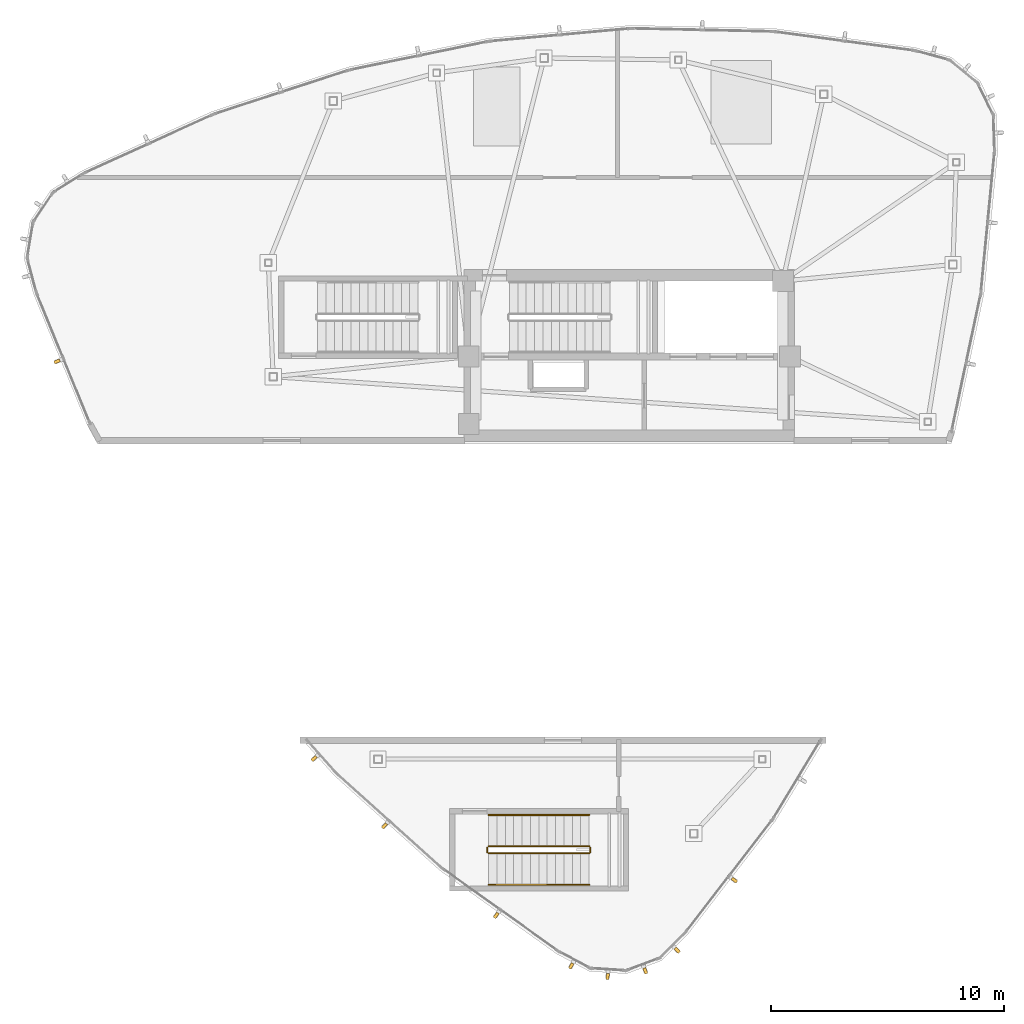
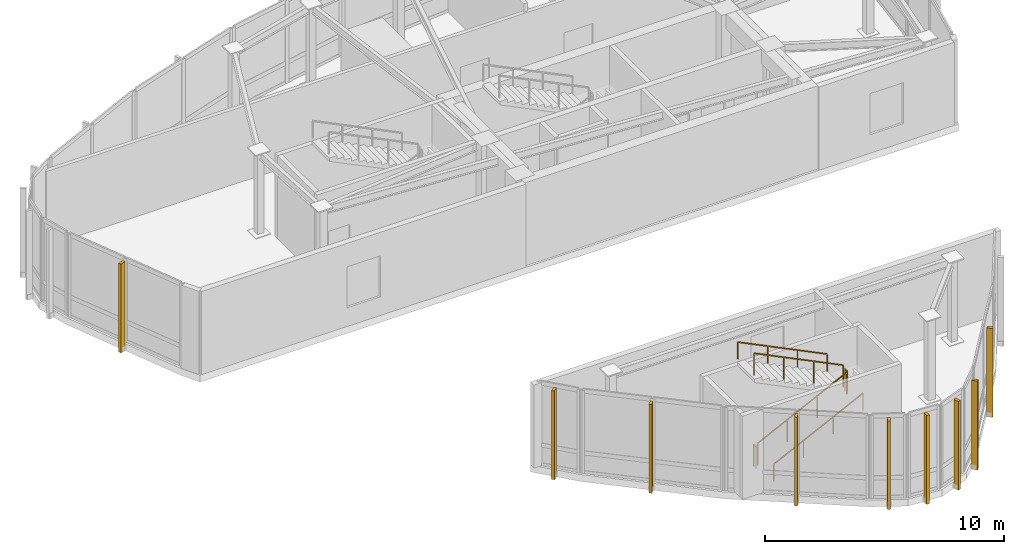
# One storey, part 13 of 16: 9 shading devices, 6 railings.
"""IFC4 building model written with IfcOpenShell, lengths in metres."""

from ifc_helpers import new_model, si_unit, direction, frame, origin, origin_2d, place, context, subcontext, project, spatial, rectangle, extrude, source, transform, mapped, material, type_object, type_shapes, element, save


model = new_model("IFC4")

# Units and contexts
model_context = context("Model", 3, precision=1e-05, world=origin(), true_north=direction((0.0, 1.0)))
body_context = subcontext(model_context, "Body", "Model", "MODEL_VIEW")
ifc_project = project(units=[si_unit("LENGTHUNIT", "METRE"), si_unit("AREAUNIT", "SQUARE_METRE"), si_unit("VOLUMEUNIT", "CUBIC_METRE"), si_unit("PLANEANGLEUNIT", "RADIAN"), si_unit("MASSUNIT", "GRAM", prefix="KILO")], contexts=[model_context])

# Site, building, storey
site_placement = place(None, origin())
site = spatial("IfcSite", under=ifc_project, at=site_placement, CompositionType="ELEMENT")
building_placement = place(site_placement, origin())
building = spatial("IfcBuilding", under=site, at=building_placement, Name="Tavelor Broadcast Tower", CompositionType="ELEMENT")
storey_placement = place(building_placement, frame((0.0, 0.0, 336.699951171875)))
storey = spatial("IfcBuildingStorey", under=building, at=storey_placement, Name="L80", CompositionType="ELEMENT", Elevation=336.699951171875)

# Railings
ifc_material_1 = material(Name="Steel S355", Category="steel")
railing_type_1 = type_object("IfcRailingType", Name="Continuous Brushed Stainless Handrail 900 mm", PredefinedType="HANDRAIL", material=ifc_material_1)
railing_1_placement = place(storey_placement, frame((43.949951171875, 25.25, 0.177001953125)))
element("IfcRailing", 1, at=railing_1_placement, inside=storey, type_object=railing_type_1, Name="L80 ST6 stair handrail 1", PredefinedType="HANDRAIL", context=body_context, shape_type="SweptSolid", body=[
    extrude(rectangle(XDim=0.048095703125, YDim=0.048095703125, at=origin_2d()), frame((0.0, 0.0, 0.8759765625), z_axis=(0.897479661869, 0.0, 0.441055842872), x_axis=(0.0, 1.0, 0.0)), (0.0, 0.0, 1.0), 4.8134765625),
    extrude(rectangle(XDim=0.0419921875, YDim=0.0419921875, at=origin_2d()), origin(), (0.0, 0.0, 1.0), 0.851806640625),
    extrude(rectangle(XDim=0.0419921875, YDim=0.0419921875, at=origin_2d()), frame((1.43994140625, 0.0, 0.707763671875)), (0.0, 0.0, 1.0), 0.851806640625),
    extrude(rectangle(XDim=0.0419921875, YDim=0.0419921875, at=origin_2d()), frame((2.880126953125, 0.0, 1.415283203125)), (0.0, 0.0, 1.0), 0.851806640625),
    extrude(rectangle(XDim=0.0419921875, YDim=0.0419921875, at=origin_2d()), frame((4.320068359375, 0.0, 2.123046875)), (0.0, 0.0, 1.0), 0.851806640625),
])
railing_2_placement = place(storey_placement, frame((48.27001953125, 28.25, 2.47705078125)))
element("IfcRailing", 2, at=railing_2_placement, inside=storey, type_object=railing_type_1, Name="L80 ST6 stair handrail 2", PredefinedType="HANDRAIL", context=body_context, shape_type="SweptSolid", body=[
    extrude(rectangle(XDim=0.048095703125, YDim=0.048095703125, at=origin_2d()), frame((0.0, 0.0, 0.8759765625), z_axis=(-0.897479661869, 0.0, 0.441055842872), x_axis=(0.0, -1.0, 0.0)), (0.0, 0.0, 1.0), 4.8134765625),
    extrude(rectangle(XDim=0.0419921875, YDim=0.0419921875, at=origin_2d()), origin(), (0.0, 0.0, 1.0), 0.851806640625),
    extrude(rectangle(XDim=0.0419921875, YDim=0.0419921875, at=origin_2d()), frame((-1.43994140625, 0.0, 0.707763671875)), (0.0, 0.0, 1.0), 0.851806640625),
    extrude(rectangle(XDim=0.0419921875, YDim=0.0419921875, at=origin_2d()), frame((-2.880126953125, 0.0, 1.415283203125)), (0.0, 0.0, 1.0), 0.851806640625),
    extrude(rectangle(XDim=0.0419921875, YDim=0.0419921875, at=origin_2d()), frame((-4.320068359375, 0.0, 2.123046875)), (0.0, 0.0, 1.0), 0.851806640625),
])
railing_type_2 = type_object("IfcRailingType", Name="Stairwell Steel Safety Guardrail 1150 mm", PredefinedType="GUARDRAIL", material=ifc_material_1)
railing_3_placement = place(storey_placement, frame((43.949951171875, 26.60009765625, 0.177001953125)))
element("IfcRailing", 3, at=railing_3_placement, inside=storey, type_object=railing_type_2, Name="L80 ST6 stair guard 1", PredefinedType="GUARDRAIL", context=body_context, shape_type="SweptSolid", body=[
    extrude(rectangle(XDim=0.048095703125, YDim=0.048095703125, at=origin_2d()), frame((0.0, 0.0, 1.1259765625), z_axis=(0.897479661869, 0.0, 0.441055842872), x_axis=(0.0, 1.0, 0.0)), (0.0, 0.0, 1.0), 4.8134765625),
    extrude(rectangle(XDim=0.0419921875, YDim=0.0419921875, at=origin_2d()), origin(), (0.0, 0.0, 1.0), 1.101806640625),
    extrude(rectangle(XDim=0.0419921875, YDim=0.0419921875, at=origin_2d()), frame((1.43994140625, 0.0, 0.707763671875)), (0.0, 0.0, 1.0), 1.101806640625),
    extrude(rectangle(XDim=0.0419921875, YDim=0.0419921875, at=origin_2d()), frame((2.880126953125, 0.0, 1.415283203125)), (0.0, 0.0, 1.0), 1.101806640625),
    extrude(rectangle(XDim=0.0419921875, YDim=0.0419921875, at=origin_2d()), frame((4.320068359375, 0.0, 2.123046875)), (0.0, 0.0, 1.0), 1.101806640625),
])
railing_4_placement = place(storey_placement, frame((48.320068359375, 26.64990234375, 2.300048828125)))
element("IfcRailing", 4, at=railing_4_placement, inside=storey, type_object=railing_type_2, Name="L80 ST6 stair guard 2", PredefinedType="GUARDRAIL", context=body_context, shape_type="SweptSolid", body=[
    extrude(rectangle(XDim=0.048095703125, YDim=0.048095703125, at=origin_2d()), frame((0.0, 0.0, 1.1259765625), z_axis=(0.0, 1.0, 0.0), x_axis=(-1.0, 0.0, 0.0)), (0.0, 0.0, 1.0), 0.2001953125),
    extrude(rectangle(XDim=0.0419921875, YDim=0.0419921875, at=origin_2d()), origin(), (0.0, 0.0, 1.0), 1.101806640625),
    extrude(rectangle(XDim=0.0419921875, YDim=0.0419921875, at=origin_2d()), frame((0.0, 0.2001953125, 0.0)), (0.0, 0.0, 1.0), 1.101806640625),
])
railing_5_placement = place(storey_placement, frame((48.27001953125, 26.89990234375, 2.47705078125)))
element("IfcRailing", 5, at=railing_5_placement, inside=storey, type_object=railing_type_2, Name="L80 ST6 stair guard 3", PredefinedType="GUARDRAIL", context=body_context, shape_type="SweptSolid", body=[
    extrude(rectangle(XDim=0.048095703125, YDim=0.048095703125, at=origin_2d()), frame((0.0, 0.0, 1.1259765625), z_axis=(-0.897479661869, 0.0, 0.441055842872), x_axis=(0.0, -1.0, 0.0)), (0.0, 0.0, 1.0), 4.8134765625),
    extrude(rectangle(XDim=0.0419921875, YDim=0.0419921875, at=origin_2d()), origin(), (0.0, 0.0, 1.0), 1.101806640625),
    extrude(rectangle(XDim=0.0419921875, YDim=0.0419921875, at=origin_2d()), frame((-1.43994140625, 0.0, 0.707763671875)), (0.0, 0.0, 1.0), 1.101806640625),
    extrude(rectangle(XDim=0.0419921875, YDim=0.0419921875, at=origin_2d()), frame((-2.880126953125, 0.0, 1.415283203125)), (0.0, 0.0, 1.0), 1.101806640625),
    extrude(rectangle(XDim=0.0419921875, YDim=0.0419921875, at=origin_2d()), frame((-4.320068359375, 0.0, 2.123046875)), (0.0, 0.0, 1.0), 1.101806640625),
])
railing_6_placement = place(storey_placement, frame((43.89990234375, 26.64990234375, 0.0)))
element("IfcRailing", 6, at=railing_6_placement, inside=storey, type_object=railing_type_2, Name="L80 ST6 stair guard 4", PredefinedType="GUARDRAIL", context=body_context, shape_type="SweptSolid", body=[
    extrude(rectangle(XDim=0.048095703125, YDim=0.048095703125, at=origin_2d()), frame((0.0, 0.0, 1.1259765625), z_axis=(0.0, 1.0, 0.0), x_axis=(-1.0, 0.0, 0.0)), (0.0, 0.0, 1.0), 0.2001953125),
    extrude(rectangle(XDim=0.0419921875, YDim=0.0419921875, at=origin_2d()), origin(), (0.0, 0.0, 1.0), 1.101806640625),
    extrude(rectangle(XDim=0.0419921875, YDim=0.0419921875, at=origin_2d()), frame((0.0, 0.2001953125, 0.0)), (0.0, 0.0, 1.0), 1.101806640625),
])

# Shading devices
ifc_material_2 = material(Name="Kiln-Fired Glazed Terracotta", Category="masonry")
shading_device_type = type_object("IfcShadingDeviceType", Name="Extruded Terracotta Corner Baguette 130x260", PredefinedType="JALOUSIE", material=ifc_material_2)
shared_shape = source(origin(), body_context, "Body", "SweptSolid", [
    extrude(rectangle(XDim=0.1298828125, YDim=0.260009765625, at=origin_2d()), origin(), (0.0, 0.0, 1.0), 4.5400390625),
])
type_shapes(shading_device_type, [shared_shape])
for number, where, z_axis, x_axis, name in (
    (7, (25.40478515625, 47.7451171875, -0.31005859375), (0.0, 0.0, 1.0), (0.379779095522, -0.925077206834, 0.0), "L80 Terracotta Baguette Fin 787"),
    (8, (36.449951171875, 30.672119140625, -0.31005859375), (0.0, 0.0, 1.0), (0.664187202975, -0.747566290977, 0.0), "L80 Terracotta Baguette Fin 788"),
    (9, (39.477783203125, 27.78369140625, -0.31005859375), (0.0, 0.0, 1.0), (0.743728469045, -0.668481835454, 0.0), "L80 Terracotta Baguette Fin 789"),
    (10, (44.2783203125, 23.9326171875, -0.31005859375), (0.0, 0.0, 1.0), (0.813912765191, -0.580987100252, 0.0), "L80 Terracotta Baguette Fin 790"),
    (11, (47.50341796875, 21.760009765625, -0.31005859375), (0.0, 0.0, 1.0), (0.882537565484, -0.470241901057, 0.0), "L80 Terracotta Baguette Fin 791"),
    (12, (49.072998046875, 21.31298828125, -0.31005859375), (0.0, 0.0, 1.0), (0.997858923239, -0.06540312923, 0.0), "L80 Terracotta Baguette Fin 792"),
    (13, (50.6875, 21.55126953125, -0.31005859375), (0.0, 0.0, 1.0), (0.936366219035, 0.351024648492, 0.0), "L80 Terracotta Baguette Fin 793"),
    (14, (52.060791015625, 22.43310546875, -0.31005859375), (0.0, 0.0, 1.0), (0.708955557081, 0.705253158862, 0.0), "L80 Terracotta Baguette Fin 794"),
    (15, (54.520263671875, 25.445068359375, -0.31005859375), (0.0, 0.0, 1.0), (0.61125081382, 0.791436947965, 0.0), "L80 Terracotta Baguette Fin 795"),
):
    element("IfcShadingDevice", number, at=place(storey_placement, frame(where, z_axis=z_axis, x_axis=x_axis)), inside=storey, type_object=shading_device_type, Name=name, PredefinedType="JALOUSIE", context=body_context, shape_type="MappedRepresentation", body=[
        mapped(shared_shape, transform((0.0, 0.0, 0.0), scale=1.0)),
    ])

save(model, "model.ifc")
